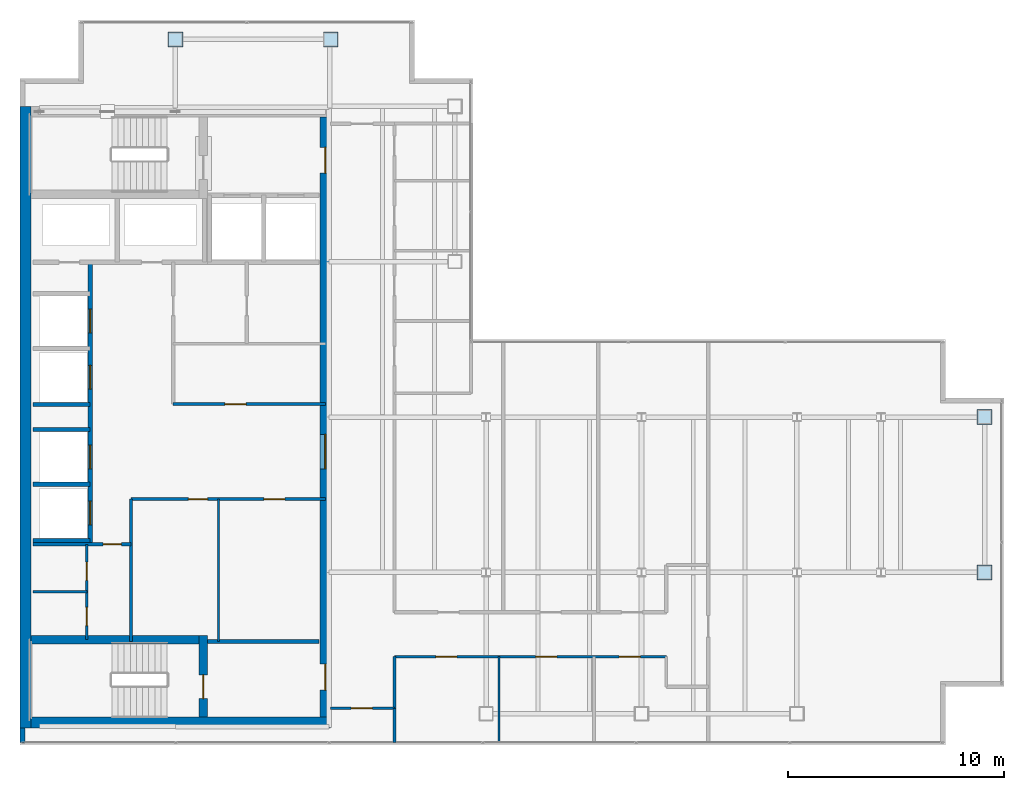
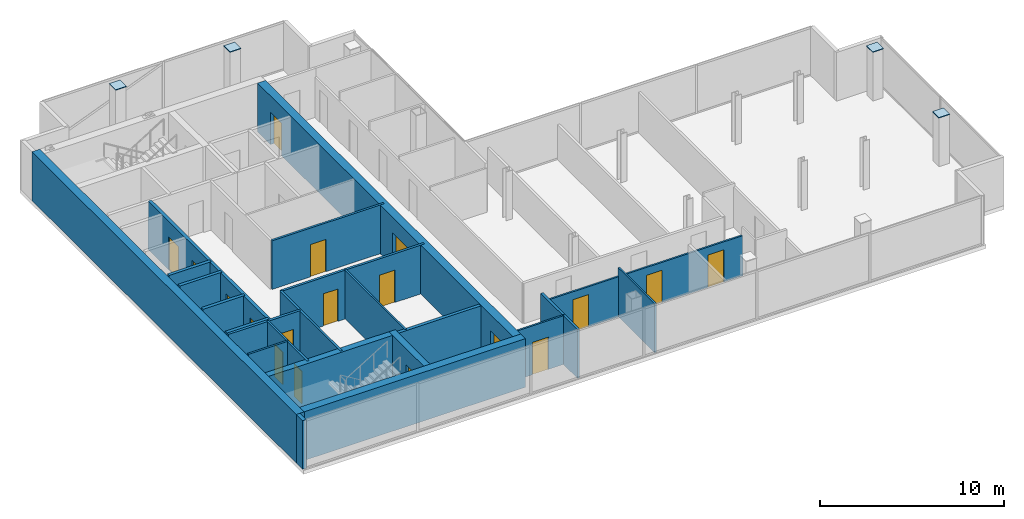
# One storey, part 21 of 24: 24 walls, 18 doors, 4 plates, 18 openings.
"""IFC4 building model written with IfcOpenShell, lengths in metres."""

from ifc_helpers import new_model, si_unit, direction, frame, frame_2d, origin, origin_2d, place, context, subcontext, project, spatial, rectangle, extrude, material, layer, layer_set, type_object, element, fill, save


model = new_model("IFC4")

# Units and contexts
model_context = context("Model", 3, precision=1e-05, world=origin(), true_north=direction((0.0, 1.0)))
body_context = subcontext(model_context, "Body", "Model", "MODEL_VIEW")
ifc_project = project(units=[si_unit("LENGTHUNIT", "METRE"), si_unit("AREAUNIT", "SQUARE_METRE"), si_unit("VOLUMEUNIT", "CUBIC_METRE"), si_unit("PLANEANGLEUNIT", "RADIAN"), si_unit("MASSUNIT", "GRAM", prefix="KILO")], contexts=[model_context])

# Site, building, storey
site_placement = place(None, origin())
site = spatial("IfcSite", under=ifc_project, at=site_placement, CompositionType="ELEMENT")
building_placement = place(site_placement, origin())
building = spatial("IfcBuilding", under=site, at=building_placement, Name="Cobrela Telecom Tower", CompositionType="ELEMENT")
storey_placement = place(building_placement, frame((0.0, 0.0, 290.14990234375)))
storey = spatial("IfcBuildingStorey", under=building, at=storey_placement, Name="L76", CompositionType="ELEMENT", Elevation=290.14990234375)

# Plates
ifc_material_1 = material(Name="Steel ASTM A572 Grade 50", Category="steel")
ifc_layer_1 = layer(ifc_material_1, 0.044921875)
ifc_layer_set_1 = layer_set([ifc_layer_1], Name="Steel ASTM A572 Grade 50")
plate_type = type_object("IfcPlateType", Name="PLT-END-CAP-45", PredefinedType="SHEET", material=ifc_layer_set_1)
for number, where, z_axis, x_axis, name in (
    (1, (7.199951171875, 39.10009765625, 3.237548828125), (0.0, 0.0, 1.0), (1.0, 0.0, 0.0), "L76 Mega-Column Top End Cap Plate 46"),
    (2, (14.39990234375, 39.10009765625, 3.237548828125), (0.0, 0.0, 1.0), (1.0, 0.0, 0.0), "L76 Mega-Column Top End Cap Plate 47"),
    (3, (44.699951171875, 14.39990234375, 3.237548828125), (0.0, 0.0, 1.0), (1.0, 0.0, 0.0), "L76 Mega-Column Top End Cap Plate 51"),
    (4, (44.699951171875, 21.60009765625, 3.237548828125), (0.0, 0.0, 1.0), (1.0, 0.0, 0.0), "L76 Mega-Column Top End Cap Plate 52"),
):
    element("IfcPlate", number, at=place(storey_placement, frame(where, z_axis=z_axis, x_axis=x_axis)), inside=storey, type_object=plate_type, Name=name, PredefinedType="SHEET", context=body_context, shape_type="SweptSolid", body=[
        extrude(rectangle(XDim=0.68994140625, YDim=0.68994140625, at=origin_2d()), origin(), (0.0, 0.0, 1.0), 0.044921875),
    ])

# Walls
ifc_material_2 = material(Name="Concrete C40/50", Category="concrete")
ifc_layer_2 = layer(ifc_material_2, 0.5)
ifc_layer_set_2 = layer_set([ifc_layer_2], Name="Concrete C40/50")
wall_type_1 = type_object("IfcWallType", Name="WALL-CORE-C40-500", PredefinedType="SHEAR", material=ifc_layer_set_2)
wall_1_placement = place(storey_placement, frame((0.25, 7.199951171875, 0.0), z_axis=(0.0, 0.0, 1.0), x_axis=(0.0, 1.0, 0.0)))
element("IfcWall", 5, at=wall_1_placement, inside=storey, type_object=wall_type_1, Name="L76 West Core Shear Wall", PredefinedType="SHEAR", context=body_context, shape_type="SweptSolid", body=[
    extrude(rectangle(XDim=28.800048828125, YDim=0.5, at=frame_2d((14.39990234375, 0.0))), origin(), (0.0, 0.0, 1.0), 3.239990234375),
])
wall_2_placement = place(storey_placement, frame((0.5, 7.449951171875, 0.0), z_axis=(0.0, 0.0, 1.0), x_axis=(1.0, 0.0, 0.0)))
element("IfcWall", 6, at=wall_2_placement, inside=storey, type_object=wall_type_1, Name="L76 South Core Shear Wall", PredefinedType="SHEAR", context=body_context, shape_type="SweptSolid", body=[
    extrude(rectangle(XDim=13.89990234375, YDim=0.5, at=frame_2d((6.949951171875, 0.0))), origin(), (0.0, 0.0, 1.0), 3.239990234375),
])

# Wall, openings, doors
wall_3_placement = place(storey_placement, frame((14.14990234375, 35.5, 0.0), z_axis=(0.0, 0.0, 1.0), x_axis=(0.0, -1.0, 0.0)))
wall_3 = element("IfcWall", 7, at=wall_3_placement, inside=storey, type_object=wall_type_1, Name="L76 East Core Shear Wall", PredefinedType="SHEAR", context=body_context, shape_type="SweptSolid", body=[
    extrude(rectangle(XDim=27.800048828125, YDim=0.5, at=frame_2d((13.89990234375, 0.0))), origin(), (0.0, 0.0, 1.0), 3.239990234375),
])
opening_1_placement = place(wall_3_placement, frame((1.39990234375, 0.0, 0.0)))
opening_1 = element("IfcOpeningElement", 8, at=opening_1_placement, cuts=wall_3, Name="Opening DR-19", PredefinedType="OPENING", context=body_context, shape_type="SweptSolid", body=[
    extrude(rectangle(XDim=1.199951171875, YDim=2.14990234375, at=frame_2d((0.60009765625, 1.074951171875))), frame((0.0, 0.261962890625, 0.0), z_axis=(0.0, -1.0, 0.0), x_axis=(1.0, 0.0, 0.0)), (0.0, 0.0, 1.0), 0.52392578125),
])
opening_2_placement = place(wall_3_placement, frame((25.35009765625, 0.0, 0.0)))
opening_2 = element("IfcOpeningElement", 9, at=opening_2_placement, cuts=wall_3, Name="Opening DR-19", PredefinedType="OPENING", context=body_context, shape_type="SweptSolid", body=[
    extrude(rectangle(XDim=1.199951171875, YDim=2.14990234375, at=frame_2d((0.60009765625, 1.074951171875))), frame((0.0, 0.261962890625, 0.0), z_axis=(0.0, -1.0, 0.0), x_axis=(1.0, 0.0, 0.0)), (0.0, 0.0, 1.0), 0.52392578125),
])
opening_3_placement = place(wall_3_placement, frame((14.699951171875, 0.0, 0.0)))
opening_3 = element("IfcOpeningElement", 10, at=opening_3_placement, cuts=wall_3, Name="Opening DR-51", PredefinedType="OPENING", context=body_context, shape_type="SweptSolid", body=[
    extrude(rectangle(XDim=1.60009765625, YDim=2.199951171875, at=frame_2d((0.800048828125, 1.10009765625))), frame((0.0, 0.261962890625, 0.0), z_axis=(0.0, -1.0, 0.0), x_axis=(1.0, 0.0, 0.0)), (0.0, 0.0, 1.0), 0.52392578125),
])
ifc_material_3 = material(Name="Steel ASTM A36", Category="steel")
door_type_1 = type_object("IfcDoorType", Name="DOOR-FD60-1200", OperationType="SINGLE_SWING_LEFT", PredefinedType="DOOR", material=ifc_material_3)
door_1_placement = place(opening_1_placement, origin())
door_1 = element("IfcDoor", 11, at=door_1_placement, inside=storey, type_object=door_type_1, Name="L76 Door DR-19", OperationType="SINGLE_SWING_LEFT", OverallHeight=2.14990234375, OverallWidth=1.199951171875, PredefinedType="DOOR", context=body_context, shape_type="SweptSolid", body=[
    extrude(rectangle(XDim=1.199951171875, YDim=2.14990234375, at=frame_2d((0.60009765625, 1.074951171875))), frame((0.0, 0.02490234375, 0.0), z_axis=(0.0, -1.0, 0.0), x_axis=(1.0, 0.0, 0.0)), (0.0, 0.0, 1.0), 0.050048828125),
])
fill(opening_1, door_1)
door_2_placement = place(opening_2_placement, origin())
door_2 = element("IfcDoor", 12, at=door_2_placement, inside=storey, type_object=door_type_1, Name="L76 Door DR-19", OperationType="SINGLE_SWING_RIGHT", OverallHeight=2.14990234375, OverallWidth=1.199951171875, PredefinedType="DOOR", context=body_context, shape_type="SweptSolid", body=[
    extrude(rectangle(XDim=1.199951171875, YDim=2.14990234375, at=frame_2d((0.60009765625, 1.074951171875))), frame((0.0, 0.02490234375, 0.0), z_axis=(0.0, -1.0, 0.0), x_axis=(1.0, 0.0, 0.0)), (0.0, 0.0, 1.0), 0.050048828125),
])
fill(opening_2, door_2)
door_type_2 = type_object("IfcDoorType", Name="DOOR-FD60-1600", OperationType="SINGLE_SWING_LEFT", PredefinedType="DOOR", material=ifc_material_3)
door_3_placement = place(opening_3_placement, origin())
door_3 = element("IfcDoor", 13, at=door_3_placement, inside=storey, type_object=door_type_2, Name="L76 Door DR-51", OperationType="DOUBLE_DOOR_SINGLE_SWING", OverallHeight=2.199951171875, OverallWidth=1.60009765625, PredefinedType="DOOR", context=body_context, shape_type="SweptSolid", body=[
    extrude(rectangle(XDim=1.60009765625, YDim=2.199951171875, at=frame_2d((0.800048828125, 1.10009765625))), frame((0.0, 0.02490234375, 0.0), z_axis=(0.0, -1.0, 0.0), x_axis=(1.0, 0.0, 0.0)), (0.0, 0.0, 1.0), 0.050048828125),
])
fill(opening_3, door_3)

# Walls
ifc_layer_3 = layer(ifc_material_2, 0.239990234375)
ifc_layer_set_3 = layer_set([ifc_layer_3], Name="Concrete C40/50")
wall_type_2 = type_object("IfcWallType", Name="WALL-EXT-300", PredefinedType="STANDARD", material=ifc_layer_set_3)
wall_4_placement = place(storey_placement, frame((0.1201171875, 6.52001953125, 0.0), z_axis=(0.0, 0.0, 1.0), x_axis=(0.0, 1.0, 0.0)))
element("IfcWall", 14, at=wall_4_placement, inside=storey, type_object=wall_type_2, Name="L76 Insulated Facade Wall 01", PredefinedType="STANDARD", context=body_context, shape_type="SweptSolid", body=[
    extrude(rectangle(XDim=0.679931640625, YDim=0.239990234375, at=frame_2d((0.33984375, 0.0))), origin(), (0.0, 0.0, 1.0), 3.239990234375),
])
ifc_material_4 = material(Name="Fire-Rated Gypsum Plasterboard")
ifc_layer_4 = layer(ifc_material_4, 0.110107421875)
ifc_layer_set_4 = layer_set([ifc_layer_4], Name="Fire-Rated Gypsum Plasterboard")
wall_type_3 = type_object("IfcWallType", Name="WALL-PART-110", PredefinedType="PARTITIONING", material=ifc_layer_set_4)
wall_5_placement = place(storey_placement, frame((9.199951171875, 11.199951171875, 0.0), z_axis=(0.0, 0.0, 1.0), x_axis=(0.0, 1.0, 0.0)))
element("IfcWall", 15, at=wall_5_placement, inside=storey, type_object=wall_type_3, Name="L76 Interior Partition CW-RECM-V", PredefinedType="PARTITIONING", context=body_context, shape_type="SweptSolid", body=[
    extrude(rectangle(XDim=6.60009765625, YDim=0.110107421875, at=frame_2d((3.300048828125, 0.0))), origin(), (0.0, 0.0, 1.0), 3.239990234375),
])

# Wall, opening, door
wall_6_placement = place(storey_placement, frame((14.39990234375, 8.10009765625, 0.0), z_axis=(0.0, 0.0, 1.0), x_axis=(1.0, 0.0, 0.0)))
wall_6 = element("IfcWall", 16, at=wall_6_placement, inside=storey, type_object=wall_type_3, Name="L76 Interior Partition W-C-S0", PredefinedType="PARTITIONING", context=body_context, shape_type="SweptSolid", body=[
    extrude(rectangle(XDim=2.9501953125, YDim=0.110107421875, at=frame_2d((1.47509765625, 0.0))), origin(), (0.0, 0.0, 1.0), 3.239990234375),
])
opening_4_placement = place(wall_6_placement, frame((0.949951171875, 0.0, 0.0)))
opening_4 = element("IfcOpeningElement", 17, at=opening_4_placement, cuts=wall_6, Name="Opening DR-17", PredefinedType="OPENING", context=body_context, shape_type="SweptSolid", body=[
    extrude(rectangle(XDim=0.97998046875, YDim=2.14990234375, at=frame_2d((0.489990234375, 1.074951171875))), frame((0.0, 0.06689453125, 0.0), z_axis=(0.0, -1.0, 0.0), x_axis=(1.0, 0.0, 0.0)), (0.0, 0.0, 1.0), 0.134033203125),
])
ifc_material_5 = material(Name="Solid Engineered Oak Timber", Category="wood")
door_type_3 = type_object("IfcDoorType", Name="DOOR-INT-980", OperationType="SINGLE_SWING_LEFT", PredefinedType="DOOR", material=ifc_material_5)
door_4_placement = place(opening_4_placement, origin())
door_4 = element("IfcDoor", 18, at=door_4_placement, inside=storey, type_object=door_type_3, Name="L76 Door DR-17", OperationType="SINGLE_SWING_RIGHT", OverallHeight=2.14990234375, OverallWidth=0.97998046875, PredefinedType="DOOR", context=body_context, shape_type="SweptSolid", body=[
    extrude(rectangle(XDim=0.97998046875, YDim=2.14990234375, at=frame_2d((0.489990234375, 1.074951171875))), frame((0.0, 0.02490234375, 0.0), z_axis=(0.0, -1.0, 0.0), x_axis=(1.0, 0.0, 0.0)), (0.0, 0.0, 1.0), 0.050048828125),
])
fill(opening_4, door_4)

# Wall, openings, doors
wall_7_placement = place(storey_placement, frame((17.35009765625, 10.5, 0.0), z_axis=(0.0, 0.0, 1.0), x_axis=(1.0, 0.0, 0.0)))
wall_7 = element("IfcWall", 19, at=wall_7_placement, inside=storey, type_object=wall_type_3, Name="L76 Interior Partition W-C-HS", PredefinedType="PARTITIONING", context=body_context, shape_type="SweptSolid", body=[
    extrude(rectangle(XDim=12.599853515625, YDim=0.110107421875, at=frame_2d((6.2998046875, 0.0))), origin(), (0.0, 0.0, 1.0), 2.676025390625),
])
opening_5_placement = place(wall_7_placement, frame((1.919921875, 0.0, 0.0)))
opening_5 = element("IfcOpeningElement", 20, at=opening_5_placement, cuts=wall_7, Name="Opening DR-17", PredefinedType="OPENING", context=body_context, shape_type="SweptSolid", body=[
    extrude(rectangle(XDim=0.97998046875, YDim=2.14990234375, at=frame_2d((0.489990234375, 1.074951171875))), frame((0.0, 0.06689453125, 0.0), z_axis=(0.0, -1.0, 0.0), x_axis=(1.0, 0.0, 0.0)), (0.0, 0.0, 1.0), 0.134033203125),
])
opening_6_placement = place(wall_7_placement, frame((6.550048828125, 0.0, 0.0)))
opening_6 = element("IfcOpeningElement", 21, at=opening_6_placement, cuts=wall_7, Name="Opening DR-17", PredefinedType="OPENING", context=body_context, shape_type="SweptSolid", body=[
    extrude(rectangle(XDim=0.97998046875, YDim=2.14990234375, at=frame_2d((0.489990234375, 1.074951171875))), frame((0.0, 0.06689453125, 0.0), z_axis=(0.0, -1.0, 0.0), x_axis=(1.0, 0.0, 0.0)), (0.0, 0.0, 1.0), 0.134033203125),
])
opening_7_placement = place(wall_7_placement, frame((10.419921875, 0.0, 0.0)))
opening_7 = element("IfcOpeningElement", 22, at=opening_7_placement, cuts=wall_7, Name="Opening DR-17", PredefinedType="OPENING", context=body_context, shape_type="SweptSolid", body=[
    extrude(rectangle(XDim=0.97998046875, YDim=2.14990234375, at=frame_2d((0.489990234375, 1.074951171875))), frame((0.0, 0.06689453125, 0.0), z_axis=(0.0, -1.0, 0.0), x_axis=(1.0, 0.0, 0.0)), (0.0, 0.0, 1.0), 0.134033203125),
])
door_5_placement = place(opening_5_placement, origin())
door_5 = element("IfcDoor", 23, at=door_5_placement, inside=storey, type_object=door_type_3, Name="L76 Door DR-17", OperationType="SINGLE_SWING_LEFT", OverallHeight=2.14990234375, OverallWidth=0.97998046875, PredefinedType="DOOR", context=body_context, shape_type="SweptSolid", body=[
    extrude(rectangle(XDim=0.97998046875, YDim=2.14990234375, at=frame_2d((0.489990234375, 1.074951171875))), frame((0.0, 0.02490234375, 0.0), z_axis=(0.0, -1.0, 0.0), x_axis=(1.0, 0.0, 0.0)), (0.0, 0.0, 1.0), 0.050048828125),
])
fill(opening_5, door_5)
door_6_placement = place(opening_6_placement, origin())
door_6 = element("IfcDoor", 24, at=door_6_placement, inside=storey, type_object=door_type_3, Name="L76 Door DR-17", OperationType="SINGLE_SWING_RIGHT", OverallHeight=2.14990234375, OverallWidth=0.97998046875, PredefinedType="DOOR", context=body_context, shape_type="SweptSolid", body=[
    extrude(rectangle(XDim=0.97998046875, YDim=2.14990234375, at=frame_2d((0.489990234375, 1.074951171875))), frame((0.0, 0.02490234375, 0.0), z_axis=(0.0, -1.0, 0.0), x_axis=(1.0, 0.0, 0.0)), (0.0, 0.0, 1.0), 0.050048828125),
])
fill(opening_6, door_6)
door_7_placement = place(opening_7_placement, origin())
door_7 = element("IfcDoor", 25, at=door_7_placement, inside=storey, type_object=door_type_3, Name="L76 Door DR-17", OperationType="SINGLE_SWING_LEFT", OverallHeight=2.14990234375, OverallWidth=0.97998046875, PredefinedType="DOOR", context=body_context, shape_type="SweptSolid", body=[
    extrude(rectangle(XDim=0.97998046875, YDim=2.14990234375, at=frame_2d((0.489990234375, 1.074951171875))), frame((0.0, 0.02490234375, 0.0), z_axis=(0.0, -1.0, 0.0), x_axis=(1.0, 0.0, 0.0)), (0.0, 0.0, 1.0), 0.050048828125),
])
fill(opening_7, door_7)

# Walls
wall_8_placement = place(storey_placement, frame((22.199951171875, 6.52001953125, 0.0), z_axis=(0.0, 0.0, 1.0), x_axis=(0.0, 1.0, 0.0)))
element("IfcWall", 26, at=wall_8_placement, inside=storey, type_object=wall_type_3, Name="L76 Interior Partition W-SV-1", PredefinedType="PARTITIONING", context=body_context, shape_type="SweptSolid", body=[
    extrude(rectangle(XDim=3.97998046875, YDim=0.110107421875, at=frame_2d((1.989990234375, 0.0))), origin(), (0.0, 0.0, 1.0), 3.239990234375),
])
ifc_layer_5 = layer(ifc_material_4, 0.125)
ifc_layer_set_5 = layer_set([ifc_layer_5], Name="Fire-Rated Gypsum Plasterboard")
wall_type_4 = type_object("IfcWallType", Name="WALL-PART-125", PredefinedType="PARTITIONING", material=ifc_layer_set_5)
wall_9_placement = place(storey_placement, frame((0.60009765625, 13.5, 0.0), z_axis=(0.0, 0.0, 1.0), x_axis=(1.0, 0.0, 0.0)))
element("IfcWall", 27, at=wall_9_placement, inside=storey, type_object=wall_type_4, Name="L76 Interior Partition CW-FK3-H", PredefinedType="PARTITIONING", context=body_context, shape_type="SweptSolid", body=[
    extrude(rectangle(XDim=2.5, YDim=0.125, at=frame_2d((1.25, 0.0))), origin(), (0.0, 0.0, 1.0), 3.239990234375),
])

# Wall, openings, doors
wall_10_placement = place(storey_placement, frame((3.10009765625, 11.280029296875, 0.0), z_axis=(0.0, 0.0, 1.0), x_axis=(0.0, 1.0, 0.0)))
wall_10 = element("IfcWall", 28, at=wall_10_placement, inside=storey, type_object=wall_type_4, Name="L76 Interior Partition CW-FK3-V", PredefinedType="PARTITIONING", context=body_context, shape_type="SweptSolid", body=[
    extrude(rectangle(XDim=4.419921875, YDim=0.125, at=frame_2d((2.2099609375, 0.0))), origin(), (0.0, 0.0, 1.0), 3.239990234375),
])
opening_8_placement = place(wall_10_placement, frame((0.64990234375, 0.0, 0.0)))
opening_8 = element("IfcOpeningElement", 29, at=opening_8_placement, cuts=wall_10, Name="Opening DR-11", PredefinedType="OPENING", context=body_context, shape_type="SweptSolid", body=[
    extrude(rectangle(XDim=0.85009765625, YDim=2.14990234375, at=frame_2d((0.425048828125, 1.074951171875))), frame((0.0, 0.074462890625, 0.0), z_axis=(0.0, -1.0, 0.0), x_axis=(1.0, 0.0, 0.0)), (0.0, 0.0, 1.0), 0.14892578125),
])
opening_9_placement = place(wall_10_placement, frame((2.75, 0.0, 0.0)))
opening_9 = element("IfcOpeningElement", 30, at=opening_9_placement, cuts=wall_10, Name="Opening DR-11", PredefinedType="OPENING", context=body_context, shape_type="SweptSolid", body=[
    extrude(rectangle(XDim=0.85009765625, YDim=2.14990234375, at=frame_2d((0.425048828125, 1.074951171875))), frame((0.0, 0.074462890625, 0.0), z_axis=(0.0, -1.0, 0.0), x_axis=(1.0, 0.0, 0.0)), (0.0, 0.0, 1.0), 0.14892578125),
])
door_type_4 = type_object("IfcDoorType", Name="DOOR-INT-850", OperationType="SINGLE_SWING_LEFT", PredefinedType="DOOR", material=ifc_material_5)
door_8_placement = place(opening_8_placement, origin())
door_8 = element("IfcDoor", 31, at=door_8_placement, inside=storey, type_object=door_type_4, Name="L76 Door DR-11", OperationType="SINGLE_SWING_LEFT", OverallHeight=2.14990234375, OverallWidth=0.85009765625, PredefinedType="DOOR", context=body_context, shape_type="SweptSolid", body=[
    extrude(rectangle(XDim=0.85009765625, YDim=2.14990234375, at=frame_2d((0.425048828125, 1.074951171875))), frame((0.0, 0.02490234375, 0.0), z_axis=(0.0, -1.0, 0.0), x_axis=(1.0, 0.0, 0.0)), (0.0, 0.0, 1.0), 0.050048828125),
])
fill(opening_8, door_8)
door_9_placement = place(opening_9_placement, origin())
door_9 = element("IfcDoor", 32, at=door_9_placement, inside=storey, type_object=door_type_4, Name="L76 Door DR-11", OperationType="SINGLE_SWING_RIGHT", OverallHeight=2.14990234375, OverallWidth=0.85009765625, PredefinedType="DOOR", context=body_context, shape_type="SweptSolid", body=[
    extrude(rectangle(XDim=0.85009765625, YDim=2.14990234375, at=frame_2d((0.425048828125, 1.074951171875))), frame((0.0, 0.02490234375, 0.0), z_axis=(0.0, -1.0, 0.0), x_axis=(1.0, 0.0, 0.0)), (0.0, 0.0, 1.0), 0.050048828125),
])
fill(opening_9, door_9)

# Wall, opening, door
ifc_layer_6 = layer(ifc_material_4, 0.135009765625)
ifc_layer_set_6 = layer_set([ifc_layer_6], Name="Fire-Rated Gypsum Plasterboard")
wall_type_5 = type_object("IfcWallType", Name="WALL-PART-135", PredefinedType="PARTITIONING", material=ifc_layer_set_6)
wall_11_placement = place(storey_placement, frame((7.10009765625, 22.199951171875, 0.0), z_axis=(0.0, 0.0, 1.0), x_axis=(1.0, 0.0, 0.0)))
wall_11 = element("IfcWall", 33, at=wall_11_placement, inside=storey, type_object=wall_type_5, Name="L76 Interior Partition CW-RECL-S", PredefinedType="PARTITIONING", context=body_context, shape_type="SweptSolid", body=[
    extrude(rectangle(XDim=7.0498046875, YDim=0.135009765625, at=frame_2d((3.52490234375, 0.0))), origin(), (0.0, 0.0, 1.0), 3.239990234375),
])
opening_10_placement = place(wall_11_placement, frame((2.39990234375, 0.0, 0.0)))
opening_10 = element("IfcOpeningElement", 34, at=opening_10_placement, cuts=wall_11, Name="Opening DR-17", PredefinedType="OPENING", context=body_context, shape_type="SweptSolid", body=[
    extrude(rectangle(XDim=0.97998046875, YDim=2.14990234375, at=frame_2d((0.489990234375, 1.074951171875))), frame((0.0, 0.07958984375, 0.0), z_axis=(0.0, -1.0, 0.0), x_axis=(1.0, 0.0, 0.0)), (0.0, 0.0, 1.0), 0.158935546875),
])
door_10_placement = place(opening_10_placement, origin())
door_10 = element("IfcDoor", 35, at=door_10_placement, inside=storey, type_object=door_type_3, Name="L76 Door DR-17", OperationType="SINGLE_SWING_LEFT", OverallHeight=2.14990234375, OverallWidth=0.97998046875, PredefinedType="DOOR", context=body_context, shape_type="SweptSolid", body=[
    extrude(rectangle(XDim=0.97998046875, YDim=2.14990234375, at=frame_2d((0.489990234375, 1.074951171875))), frame((0.0, 0.02490234375, 0.0), z_axis=(0.0, -1.0, 0.0), x_axis=(1.0, 0.0, 0.0)), (0.0, 0.0, 1.0), 0.050048828125),
])
fill(opening_10, door_10)

# Walls
wall_12_placement = place(storey_placement, frame((5.14990234375, 11.199951171875, 0.0), z_axis=(0.0, 0.0, 1.0), x_axis=(0.0, 1.0, 0.0)))
element("IfcWall", 36, at=wall_12_placement, inside=storey, type_object=wall_type_5, Name="L76 Interior Partition CW-RECM-W", PredefinedType="PARTITIONING", context=body_context, shape_type="SweptSolid", body=[
    extrude(rectangle(XDim=6.60009765625, YDim=0.135009765625, at=frame_2d((3.300048828125, 0.0))), origin(), (0.0, 0.0, 1.0), 3.239990234375),
])
wall_13_placement = place(storey_placement, frame((17.35009765625, 6.52001953125, 0.0), z_axis=(0.0, 0.0, 1.0), x_axis=(0.0, 1.0, 0.0)))
element("IfcWall", 37, at=wall_13_placement, inside=storey, type_object=wall_type_5, Name="L76 Interior Partition W-SW-E", PredefinedType="PARTITIONING", context=body_context, shape_type="SweptSolid", body=[
    extrude(rectangle(XDim=1.580078125, YDim=0.135009765625, at=frame_2d((0.7900390625, 0.0))), origin(), (0.0, 0.0, 1.0), 3.239990234375),
])

# Wall, openings, doors
ifc_layer_7 = layer(ifc_material_4, 0.14990234375)
ifc_layer_set_7 = layer_set([ifc_layer_7], Name="Fire-Rated Gypsum Plasterboard")
wall_type_6 = type_object("IfcWallType", Name="WALL-PART-150", PredefinedType="PARTITIONING", material=ifc_layer_set_7)
wall_14_placement = place(storey_placement, frame((5.14990234375, 17.800048828125, 0.0), z_axis=(0.0, 0.0, 1.0), x_axis=(1.0, 0.0, 0.0)))
wall_14 = element("IfcWall", 38, at=wall_14_placement, inside=storey, type_object=wall_type_6, Name="L76 Interior Partition CW-RECM-N", PredefinedType="PARTITIONING", context=body_context, shape_type="SweptSolid", body=[
    extrude(rectangle(XDim=9.0, YDim=0.14990234375, at=frame_2d((4.5, 0.0))), origin(), (0.0, 0.0, 1.0), 3.239990234375),
])
opening_11_placement = place(wall_14_placement, frame((2.64990234375, 0.0, 0.0)))
opening_11 = element("IfcOpeningElement", 39, at=opening_11_placement, cuts=wall_14, Name="Opening DR-41", PredefinedType="OPENING", context=body_context, shape_type="SweptSolid", body=[
    extrude(rectangle(XDim=0.89990234375, YDim=2.14990234375, at=frame_2d((0.449951171875, 1.074951171875))), frame((0.0, 0.0869140625, 0.0), z_axis=(0.0, -1.0, 0.0), x_axis=(1.0, 0.0, 0.0)), (0.0, 0.0, 1.0), 0.173828125),
])
opening_12_placement = place(wall_14_placement, frame((6.14990234375, 0.0, 0.0)))
opening_12 = element("IfcOpeningElement", 40, at=opening_12_placement, cuts=wall_14, Name="Opening DR-17", PredefinedType="OPENING", context=body_context, shape_type="SweptSolid", body=[
    extrude(rectangle(XDim=0.97998046875, YDim=2.14990234375, at=frame_2d((0.489990234375, 1.074951171875))), frame((0.0, 0.0869140625, 0.0), z_axis=(0.0, -1.0, 0.0), x_axis=(1.0, 0.0, 0.0)), (0.0, 0.0, 1.0), 0.173828125),
])
door_type_5 = type_object("IfcDoorType", Name="DOOR-INT-900", OperationType="SINGLE_SWING_LEFT", PredefinedType="DOOR", material=ifc_material_5)
door_11_placement = place(opening_11_placement, origin())
door_11 = element("IfcDoor", 41, at=door_11_placement, inside=storey, type_object=door_type_5, Name="L76 Door DR-41", OperationType="SINGLE_SWING_LEFT", OverallHeight=2.14990234375, OverallWidth=0.89990234375, PredefinedType="DOOR", context=body_context, shape_type="SweptSolid", body=[
    extrude(rectangle(XDim=0.89990234375, YDim=2.14990234375, at=frame_2d((0.449951171875, 1.074951171875))), frame((0.0, 0.02490234375, 0.0), z_axis=(0.0, -1.0, 0.0), x_axis=(1.0, 0.0, 0.0)), (0.0, 0.0, 1.0), 0.050048828125),
])
fill(opening_11, door_11)
door_12_placement = place(opening_12_placement, origin())
door_12 = element("IfcDoor", 42, at=door_12_placement, inside=storey, type_object=door_type_3, Name="L76 Door DR-17", OperationType="SINGLE_SWING_RIGHT", OverallHeight=2.14990234375, OverallWidth=0.97998046875, PredefinedType="DOOR", context=body_context, shape_type="SweptSolid", body=[
    extrude(rectangle(XDim=0.97998046875, YDim=2.14990234375, at=frame_2d((0.489990234375, 1.074951171875))), frame((0.0, 0.02490234375, 0.0), z_axis=(0.0, -1.0, 0.0), x_axis=(1.0, 0.0, 0.0)), (0.0, 0.0, 1.0), 0.050048828125),
])
fill(opening_12, door_12)

# Wall
wall_15_placement = place(storey_placement, frame((17.35009765625, 8.10009765625, 0.0), z_axis=(0.0, 0.0, 1.0), x_axis=(0.0, 1.0, 0.0)))
element("IfcWall", 43, at=wall_15_placement, inside=storey, type_object=wall_type_6, Name="L76 Interior Partition W-C-E1", PredefinedType="PARTITIONING", context=body_context, shape_type="SweptSolid", body=[
    extrude(rectangle(XDim=2.39990234375, YDim=0.14990234375, at=frame_2d((1.199951171875, 0.0))), origin(), (0.0, 0.0, 1.0), 3.239990234375),
])

# Wall, opening, door
ifc_layer_8 = layer(ifc_material_4, 0.159912109375)
ifc_layer_set_8 = layer_set([ifc_layer_8], Name="Fire-Rated Gypsum Plasterboard")
wall_type_7 = type_object("IfcWallType", Name="WALL-PART-160", PredefinedType="PARTITIONING", material=ifc_layer_set_8)
wall_16_placement = place(storey_placement, frame((0.60009765625, 15.699951171875, 0.0), z_axis=(0.0, 0.0, 1.0), x_axis=(1.0, 0.0, 0.0)))
wall_16 = element("IfcWall", 44, at=wall_16_placement, inside=storey, type_object=wall_type_7, Name="L76 Interior Partition CW-FLEX-N", PredefinedType="PARTITIONING", context=body_context, shape_type="SweptSolid", body=[
    extrude(rectangle(XDim=4.5498046875, YDim=0.159912109375, at=frame_2d((2.27490234375, 0.0))), origin(), (0.0, 0.0, 1.0), 3.239990234375),
])
opening_13_placement = place(wall_16_placement, frame((3.25, 0.0, 0.0)))
opening_13 = element("IfcOpeningElement", 45, at=opening_13_placement, cuts=wall_16, Name="Opening DR-11", PredefinedType="OPENING", context=body_context, shape_type="SweptSolid", body=[
    extrude(rectangle(XDim=0.85009765625, YDim=2.14990234375, at=frame_2d((0.425048828125, 1.074951171875))), frame((0.0, 0.091796875, 0.0), z_axis=(0.0, -1.0, 0.0), x_axis=(1.0, 0.0, 0.0)), (0.0, 0.0, 1.0), 0.183837890625),
])
door_13_placement = place(opening_13_placement, origin())
door_13 = element("IfcDoor", 46, at=door_13_placement, inside=storey, type_object=door_type_4, Name="L76 Door DR-11", OperationType="SINGLE_SWING_LEFT", OverallHeight=2.14990234375, OverallWidth=0.85009765625, PredefinedType="DOOR", context=body_context, shape_type="SweptSolid", body=[
    extrude(rectangle(XDim=0.85009765625, YDim=2.14990234375, at=frame_2d((0.425048828125, 1.074951171875))), frame((0.0, 0.02490234375, 0.0), z_axis=(0.0, -1.0, 0.0), x_axis=(1.0, 0.0, 0.0)), (0.0, 0.0, 1.0), 0.050048828125),
])
fill(opening_13, door_13)

# Wall
ifc_layer_9 = layer(ifc_material_4, 0.199951171875)
ifc_layer_set_9 = layer_set([ifc_layer_9], Name="Fire-Rated Gypsum Plasterboard")
wall_type_8 = type_object("IfcWallType", Name="WALL-SHAFT-200", PredefinedType="PARTITIONING", material=ifc_layer_set_9)
wall_17_placement = place(storey_placement, frame((8.699951171875, 11.199951171875, 0.0), z_axis=(0.0, 0.0, 1.0), x_axis=(1.0, 0.0, 0.0)))
element("IfcWall", 47, at=wall_17_placement, inside=storey, type_object=wall_type_8, Name="L76 Shaft Enclosure CW-ST2L-N", PredefinedType="PARTITIONING", context=body_context, shape_type="SweptSolid", body=[
    extrude(rectangle(XDim=5.150146484375, YDim=0.199951171875, at=frame_2d((2.5751953125, 0.0))), origin(), (0.0, 0.0, 1.0), 3.239990234375),
])

# Wall, openings, doors
wall_18_placement = place(storey_placement, frame((3.25, 15.699951171875, 0.0), z_axis=(0.0, 0.0, 1.0), x_axis=(0.0, 1.0, 0.0)))
wall_18 = element("IfcWall", 48, at=wall_18_placement, inside=storey, type_object=wall_type_8, Name="L76 Shaft Enclosure CW-PLH-E", PredefinedType="PARTITIONING", context=body_context, shape_type="SweptSolid", body=[
    extrude(rectangle(XDim=13.080078125, YDim=0.199951171875, at=frame_2d((6.5400390625, 0.0))), origin(), (0.0, 0.0, 1.0), 3.239990234375),
])
opening_14_placement = place(wall_18_placement, frame((0.89990234375, 0.0, 0.0)))
opening_14 = element("IfcOpeningElement", 49, at=opening_14_placement, cuts=wall_18, Name="Opening LD-1", PredefinedType="OPENING", context=body_context, shape_type="SweptSolid", body=[
    extrude(rectangle(XDim=1.10009765625, YDim=2.199951171875, at=frame_2d((0.550048828125, 1.10009765625))), frame((0.0, 0.11181640625, 0.0), z_axis=(0.0, -1.0, 0.0), x_axis=(1.0, 0.0, 0.0)), (0.0, 0.0, 1.0), 0.223876953125),
])
opening_15_placement = place(wall_18_placement, frame((3.5, 0.0, 0.0)))
opening_15 = element("IfcOpeningElement", 50, at=opening_15_placement, cuts=wall_18, Name="Opening LD-1", PredefinedType="OPENING", context=body_context, shape_type="SweptSolid", body=[
    extrude(rectangle(XDim=1.10009765625, YDim=2.199951171875, at=frame_2d((0.550048828125, 1.10009765625))), frame((0.0, 0.11181640625, 0.0), z_axis=(0.0, -1.0, 0.0), x_axis=(1.0, 0.0, 0.0)), (0.0, 0.0, 1.0), 0.223876953125),
])
opening_16_placement = place(wall_18_placement, frame((7.199951171875, 0.0, 0.0)))
opening_16 = element("IfcOpeningElement", 51, at=opening_16_placement, cuts=wall_18, Name="Opening LD-1", PredefinedType="OPENING", context=body_context, shape_type="SweptSolid", body=[
    extrude(rectangle(XDim=1.10009765625, YDim=2.199951171875, at=frame_2d((0.550048828125, 1.10009765625))), frame((0.0, 0.11181640625, 0.0), z_axis=(0.0, -1.0, 0.0), x_axis=(1.0, 0.0, 0.0)), (0.0, 0.0, 1.0), 0.223876953125),
])
opening_17_placement = place(wall_18_placement, frame((9.800048828125, 0.0, 0.0)))
opening_17 = element("IfcOpeningElement", 52, at=opening_17_placement, cuts=wall_18, Name="Opening LD-1", PredefinedType="OPENING", context=body_context, shape_type="SweptSolid", body=[
    extrude(rectangle(XDim=1.10009765625, YDim=2.199951171875, at=frame_2d((0.550048828125, 1.10009765625))), frame((0.0, 0.11181640625, 0.0), z_axis=(0.0, -1.0, 0.0), x_axis=(1.0, 0.0, 0.0)), (0.0, 0.0, 1.0), 0.223876953125),
])
door_type_6 = type_object("IfcDoorType", Name="DOOR-LD-PL", OperationType="SINGLE_SWING_LEFT", PredefinedType="DOOR", material=ifc_material_3)
door_14_placement = place(opening_14_placement, origin())
door_14 = element("IfcDoor", 53, at=door_14_placement, inside=storey, type_object=door_type_6, Name="L76 Lift Landing Door LD-1", OperationType="DOUBLE_DOOR_SLIDING", OverallHeight=2.199951171875, OverallWidth=1.10009765625, PredefinedType="DOOR", context=body_context, shape_type="SweptSolid", body=[
    extrude(rectangle(XDim=1.10009765625, YDim=2.199951171875, at=frame_2d((0.550048828125, 1.10009765625))), frame((0.0, 0.02490234375, 0.0), z_axis=(0.0, -1.0, 0.0), x_axis=(1.0, 0.0, 0.0)), (0.0, 0.0, 1.0), 0.050048828125),
])
fill(opening_14, door_14)
door_15_placement = place(opening_15_placement, origin())
door_15 = element("IfcDoor", 54, at=door_15_placement, inside=storey, type_object=door_type_6, Name="L76 Lift Landing Door LD-1", OperationType="DOUBLE_DOOR_SLIDING", OverallHeight=2.199951171875, OverallWidth=1.10009765625, PredefinedType="DOOR", context=body_context, shape_type="SweptSolid", body=[
    extrude(rectangle(XDim=1.10009765625, YDim=2.199951171875, at=frame_2d((0.550048828125, 1.10009765625))), frame((0.0, 0.02490234375, 0.0), z_axis=(0.0, -1.0, 0.0), x_axis=(1.0, 0.0, 0.0)), (0.0, 0.0, 1.0), 0.050048828125),
])
fill(opening_15, door_15)
door_16_placement = place(opening_16_placement, origin())
door_16 = element("IfcDoor", 55, at=door_16_placement, inside=storey, type_object=door_type_6, Name="L76 Lift Landing Door LD-1", OperationType="DOUBLE_DOOR_SLIDING", OverallHeight=2.199951171875, OverallWidth=1.10009765625, PredefinedType="DOOR", context=body_context, shape_type="SweptSolid", body=[
    extrude(rectangle(XDim=1.10009765625, YDim=2.199951171875, at=frame_2d((0.550048828125, 1.10009765625))), frame((0.0, 0.02490234375, 0.0), z_axis=(0.0, -1.0, 0.0), x_axis=(1.0, 0.0, 0.0)), (0.0, 0.0, 1.0), 0.050048828125),
])
fill(opening_16, door_16)
door_17_placement = place(opening_17_placement, origin())
door_17 = element("IfcDoor", 56, at=door_17_placement, inside=storey, type_object=door_type_6, Name="L76 Lift Landing Door LD-1", OperationType="DOUBLE_DOOR_SLIDING", OverallHeight=2.199951171875, OverallWidth=1.10009765625, PredefinedType="DOOR", context=body_context, shape_type="SweptSolid", body=[
    extrude(rectangle(XDim=1.10009765625, YDim=2.199951171875, at=frame_2d((0.550048828125, 1.10009765625))), frame((0.0, 0.02490234375, 0.0), z_axis=(0.0, -1.0, 0.0), x_axis=(1.0, 0.0, 0.0)), (0.0, 0.0, 1.0), 0.050048828125),
])
fill(opening_17, door_17)

# Walls
for number, where, z_axis, x_axis, name in (
    (57, (0.60009765625, 15.8798828125, 0.0), (0.0, 0.0, 1.0), (1.0, 0.0, 0.0), "L76 Shaft Enclosure CW-PLH-D9"),
    (58, (0.60009765625, 18.47998046875, 0.0), (0.0, 0.0, 1.0), (1.0, 0.0, 0.0), "L76 Shaft Enclosure CW-PLH-D10"),
    (59, (0.60009765625, 22.179931640625, 0.0), (0.0, 0.0, 1.0), (1.0, 0.0, 0.0), "L76 Shaft Enclosure CW-PLH-D11"),
    (60, (0.60009765625, 21.02001953125, 0.0), (0.0, 0.0, 1.0), (1.0, 0.0, 0.0), "L76 Shaft Enclosure CW-PLH-MID"),
):
    element("IfcWall", number, at=place(storey_placement, frame(where, z_axis=z_axis, x_axis=x_axis)), inside=storey, type_object=wall_type_8, Name=name, PredefinedType="PARTITIONING", context=body_context, shape_type="SweptSolid", body=[
        extrude(rectangle(XDim=2.64990234375, YDim=0.199951171875, at=frame_2d((1.324951171875, 0.0))), origin(), (0.0, 0.0, 1.0), 3.239990234375),
    ])
ifc_layer_10 = layer(ifc_material_2, 0.39990234375)
ifc_layer_set_10 = layer_set([ifc_layer_10], Name="Concrete C40/50")
wall_type_9 = type_object("IfcWallType", Name="WALL-SHAFT-C40-400", PredefinedType="SHEAR", material=ifc_layer_set_10)
wall_19_placement = place(storey_placement, frame((0.5, 11.280029296875, 0.0), z_axis=(0.0, 0.0, 1.0), x_axis=(1.0, 0.0, 0.0)))
element("IfcWall", 61, at=wall_19_placement, inside=storey, type_object=wall_type_9, Name="L76 South Stair Shear Wall", PredefinedType="SHEAR", context=body_context, shape_type="SweptSolid", body=[
    extrude(rectangle(XDim=7.800048828125, YDim=0.39990234375, at=frame_2d((3.89990234375, 0.0))), origin(), (0.0, 0.0, 1.0), 3.239990234375),
])

# Wall, opening, door
wall_20_placement = place(storey_placement, frame((8.5, 7.699951171875, 0.0), z_axis=(0.0, 0.0, 1.0), x_axis=(0.0, 1.0, 0.0)))
wall_20 = element("IfcWall", 62, at=wall_20_placement, inside=storey, type_object=wall_type_9, Name="L76 South Stair Lobby Shear Wall", PredefinedType="SHEAR", context=body_context, shape_type="SweptSolid", body=[
    extrude(rectangle(XDim=3.780029296875, YDim=0.39990234375, at=frame_2d((1.89013671875, 0.0))), origin(), (0.0, 0.0, 1.0), 3.239990234375),
])
opening_18_placement = place(wall_20_placement, frame((0.85009765625, 0.0, 0.0)))
opening_18 = element("IfcOpeningElement", 63, at=opening_18_placement, cuts=wall_20, Name="Opening FD-90", PredefinedType="OPENING", context=body_context, shape_type="SweptSolid", body=[
    extrude(rectangle(XDim=1.10009765625, YDim=2.14990234375, at=frame_2d((0.550048828125, 1.074951171875))), frame((0.0, 0.2119140625, 0.0), z_axis=(0.0, -1.0, 0.0), x_axis=(1.0, 0.0, 0.0)), (0.0, 0.0, 1.0), 0.423828125),
])
door_type_7 = type_object("IfcDoorType", Name="DOOR-FD90-1100", OperationType="SINGLE_SWING_LEFT", PredefinedType="DOOR", material=ifc_material_3)
door_18_placement = place(opening_18_placement, origin())
door_18 = element("IfcDoor", 64, at=door_18_placement, inside=storey, type_object=door_type_7, Name="L76 Door FD-90", OperationType="SINGLE_SWING_LEFT", OverallHeight=2.14990234375, OverallWidth=1.10009765625, PredefinedType="DOOR", context=body_context, shape_type="SweptSolid", body=[
    extrude(rectangle(XDim=1.10009765625, YDim=2.14990234375, at=frame_2d((0.550048828125, 1.074951171875))), frame((0.0, 0.02490234375, 0.0), z_axis=(0.0, -1.0, 0.0), x_axis=(1.0, 0.0, 0.0)), (0.0, 0.0, 1.0), 0.050048828125),
])
fill(opening_18, door_18)

save(model, "model.ifc")
